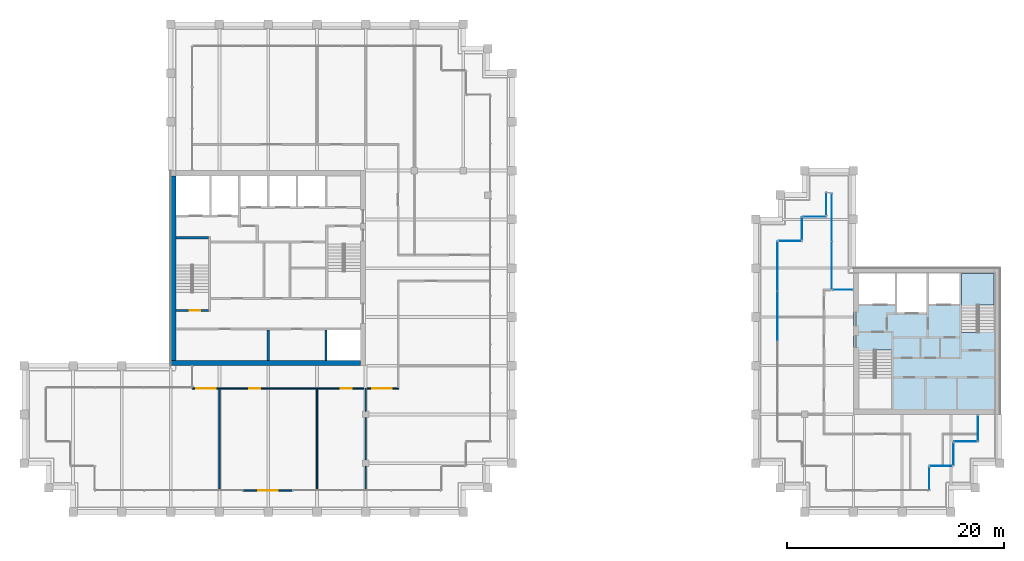
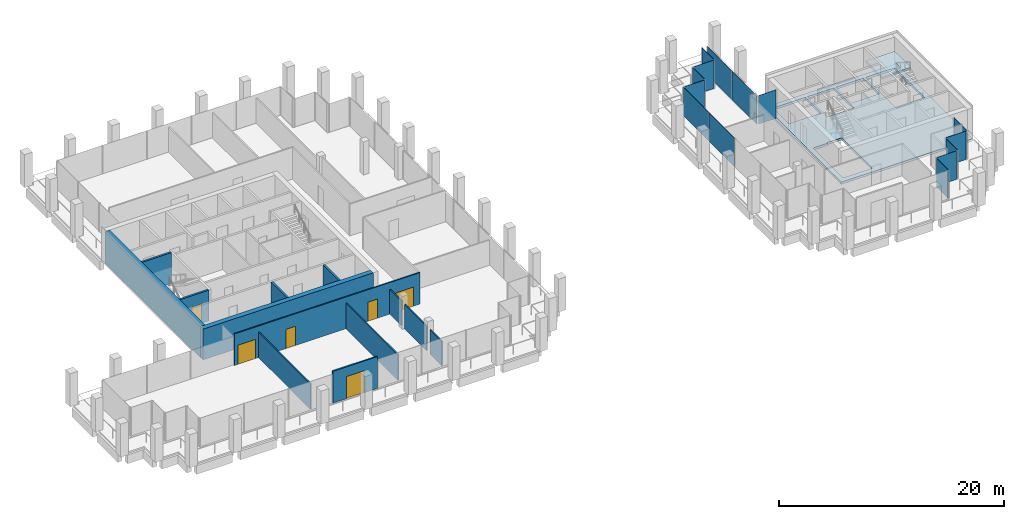
# One storey, part 35 of 40: 14 plates, 13 walls, 6 doors, 2 slabs, 6 openings, 13 elements without a shape of their own.
"""IFC4 building model written with IfcOpenShell, lengths in metres."""

from ifc_helpers import new_model, si_unit, direction, frame, frame_2d, origin, origin_2d, place, context, subcontext, project, spatial, polyline, rectangle, outline, extrude, material, layer, layer_set, type_object, element, fill, aggregate, save


model = new_model("IFC4")

# Units and contexts
model_context = context("Model", 3, precision=1e-05, world=origin(), true_north=direction((0.0, 1.0)))
body_context = subcontext(model_context, "Body", "Model", "MODEL_VIEW")
ifc_project = project(units=[si_unit("LENGTHUNIT", "METRE"), si_unit("AREAUNIT", "SQUARE_METRE"), si_unit("VOLUMEUNIT", "CUBIC_METRE"), si_unit("PLANEANGLEUNIT", "RADIAN"), si_unit("MASSUNIT", "GRAM", prefix="KILO")], contexts=[model_context])

# Site, building, storey
site_placement = place(None, origin())
site = spatial("IfcSite", under=ifc_project, at=site_placement, CompositionType="ELEMENT")
building_placement = place(site_placement, origin())
building = spatial("IfcBuilding", under=site, at=building_placement, Name="Altepetl Exchange Towers", CompositionType="ELEMENT")
storey_placement = place(building_placement, frame((0.0, 0.0, 199.199951171875)))
storey = spatial("IfcBuildingStorey", under=building, at=storey_placement, Name="L50", CompositionType="ELEMENT", Elevation=199.199951171875)

# Slab
ifc_material_1 = material(Name="Concrete C40/50", Category="concrete")
ifc_layer_1 = layer(ifc_material_1, 0.25)
ifc_layer_set_1 = layer_set([ifc_layer_1], Name="Concrete C40/50")
slab_type_1 = type_object("IfcSlabType", Name="Core floor slab 250", PredefinedType="FLOOR", material=ifc_layer_set_1)
slab_1_placement = place(storey_placement, frame((0.0, 0.0, -0.25)))
element("IfcSlab", 1, at=slab_1_placement, inside=storey, type_object=slab_type_1, Name="slab:B:L50:core0", PredefinedType="FLOOR", context=body_context, shape_type="SweptSolid", body=[
    extrude(outline(polyline([(103.5, 36.0), (117.0, 36.0), (117.0, 49.5), (103.5, 49.5), (103.5, 36.0)]), holes=[polyline([(107.0, 36.5), (104.0, 36.5), (104.0, 41.85009765625), (105.449951171875, 41.85009765625), (105.449951171875, 41.948974609375), (107.0, 41.948974609375), (107.0, 36.5)]), polyline([(113.5, 49.0), (116.5, 49.0), (116.5, 43.64990234375), (115.050048828125, 43.64990234375), (115.050048828125, 43.551025390625), (113.5, 43.551025390625), (113.5, 49.0)]), polyline([(107.532958984375, 45.39990234375), (107.532958984375, 49.0), (110.26708984375, 49.0), (110.26708984375, 45.39990234375), (107.532958984375, 45.39990234375)]), polyline([(104.0, 49.0), (107.3330078125, 49.0), (107.3330078125, 46.199951171875), (104.0, 46.199951171875), (104.0, 49.0)]), polyline([(110.467041015625, 49.0), (113.300048828125, 49.0), (113.300048828125, 46.199951171875), (110.467041015625, 46.199951171875), (110.467041015625, 49.0)])]), origin(), (0.0, 0.0, 1.0), 0.25),
])

# Curtain wall, plate
ifc_material_2 = material(Name="Aluminium 6063-T6 glazing", Category="aluminium")
curtain_wall_type = type_object("IfcCurtainWallType", Name="Loggia glazing system", PredefinedType="NOTDEFINED", material=ifc_material_2)
curtain_wall_1_placement = place(storey_placement, origin())
curtain_wall_1 = element("IfcCurtainWall", 2, at=curtain_wall_1_placement, inside=storey, type_object=curtain_wall_type, Name="CW1 run", PredefinedType="NOTDEFINED")
ifc_material_3 = material(Name="Glass 6-16-6 low emissivity", Category="glass")
ifc_layer_2 = layer(ifc_material_3, 0.028076171875)
ifc_layer_set_2 = layer_set([ifc_layer_2], Name="Glass 6-16-6 low emissivity")
plate_type = type_object("IfcPlateType", Name="Glass panel 28 double glazed", PredefinedType="CURTAIN_PANEL", material=ifc_layer_set_2)
plate_1_placement = place(storey_placement, frame((110.5, 30.08740234375, 0.0), z_axis=(0.0, 0.0, 1.0), x_axis=(0.0, 1.0, 0.0)))
plate_1 = element("IfcPlate", 3, at=plate_1_placement, type_object=plate_type, Name="GP1 panel", PredefinedType="CURTAIN_PANEL", context=body_context, shape_type="SweptSolid", body=[
    extrude(rectangle(XDim=2.054931640625, YDim=0.028076171875, at=origin_2d()), origin(), (0.0, 0.0, 1.0), 3.10009765625),
])
aggregate(curtain_wall_1, [plate_1])

curtain_wall_2_placement = place(storey_placement, origin())
curtain_wall_2 = element("IfcCurtainWall", 4, at=curtain_wall_2_placement, inside=storey, type_object=curtain_wall_type, Name="CW1 run", PredefinedType="NOTDEFINED")
plate_2_placement = place(storey_placement, frame((111.58740234375, 31.25, 0.0)))
plate_2 = element("IfcPlate", 5, at=plate_2_placement, type_object=plate_type, Name="GP1 panel", PredefinedType="CURTAIN_PANEL", context=body_context, shape_type="SweptSolid", body=[
    extrude(rectangle(XDim=2.054931640625, YDim=0.028076171875, at=origin_2d()), origin(), (0.0, 0.0, 1.0), 3.10009765625),
])
aggregate(curtain_wall_2, [plate_2])

curtain_wall_3_placement = place(storey_placement, origin())
curtain_wall_3 = element("IfcCurtainWall", 6, at=curtain_wall_3_placement, inside=storey, type_object=curtain_wall_type, Name="CW1 run", PredefinedType="NOTDEFINED")
plate_3_placement = place(storey_placement, frame((112.75, 32.33740234375, 0.0), z_axis=(0.0, 0.0, 1.0), x_axis=(0.0, 1.0, 0.0)))
plate_3 = element("IfcPlate", 7, at=plate_3_placement, type_object=plate_type, Name="GP1 panel", PredefinedType="CURTAIN_PANEL", context=body_context, shape_type="SweptSolid", body=[
    extrude(rectangle(XDim=2.054931640625, YDim=0.028076171875, at=origin_2d()), origin(), (0.0, 0.0, 1.0), 3.10009765625),
])
aggregate(curtain_wall_3, [plate_3])

curtain_wall_4_placement = place(storey_placement, origin())
curtain_wall_4 = element("IfcCurtainWall", 8, at=curtain_wall_4_placement, inside=storey, type_object=curtain_wall_type, Name="CW1 run", PredefinedType="NOTDEFINED")
plate_4_placement = place(storey_placement, frame((113.83740234375, 33.5, 0.0)))
plate_4 = element("IfcPlate", 9, at=plate_4_placement, type_object=plate_type, Name="GP1 panel", PredefinedType="CURTAIN_PANEL", context=body_context, shape_type="SweptSolid", body=[
    extrude(rectangle(XDim=2.054931640625, YDim=0.028076171875, at=origin_2d()), origin(), (0.0, 0.0, 1.0), 3.10009765625),
])
aggregate(curtain_wall_4, [plate_4])

curtain_wall_5_placement = place(storey_placement, origin())
curtain_wall_5 = element("IfcCurtainWall", 10, at=curtain_wall_5_placement, inside=storey, type_object=curtain_wall_type, Name="CW1 run", PredefinedType="NOTDEFINED")
plate_5_placement = place(storey_placement, frame((115.0, 34.71240234375, 0.0), z_axis=(0.0, 0.0, 1.0), x_axis=(0.0, 1.0, 0.0)))
plate_5 = element("IfcPlate", 11, at=plate_5_placement, type_object=plate_type, Name="GP1 panel", PredefinedType="CURTAIN_PANEL", context=body_context, shape_type="SweptSolid", body=[
    extrude(rectangle(XDim=2.304931640625, YDim=0.028076171875, at=origin_2d()), origin(), (0.0, 0.0, 1.0), 3.10009765625),
])
aggregate(curtain_wall_5, [plate_5])

curtain_wall_6_placement = place(storey_placement, origin())
curtain_wall_6 = element("IfcCurtainWall", 12, at=curtain_wall_6_placement, inside=storey, type_object=curtain_wall_type, Name="CW1 run", PredefinedType="NOTDEFINED")
plate_6_placement = place(storey_placement, frame((102.53759765625, 47.5, 0.0), z_axis=(0.0, 0.0, 1.0), x_axis=(-1.0, 0.0, 0.0)))
plate_6 = element("IfcPlate", 13, at=plate_6_placement, type_object=plate_type, Name="GP1 panel", PredefinedType="CURTAIN_PANEL", context=body_context, shape_type="SweptSolid", body=[
    extrude(rectangle(XDim=1.804931640625, YDim=0.028076171875, at=origin_2d()), origin(), (0.0, 0.0, 1.0), 3.10009765625),
])
aggregate(curtain_wall_6, [plate_6])

# Curtain wall, plates
curtain_wall_7_placement = place(storey_placement, origin())
curtain_wall_7 = element("IfcCurtainWall", 14, at=curtain_wall_7_placement, inside=storey, type_object=curtain_wall_type, Name="CW1 run", PredefinedType="NOTDEFINED")
plate_7_placement = place(storey_placement, frame((101.5, 49.746337890625, 0.0), z_axis=(0.0, 0.0, 1.0), x_axis=(0.0, 1.0, 0.0)))
plate_7 = element("IfcPlate", 15, at=plate_7_placement, type_object=plate_type, Name="GP1 panel", PredefinedType="CURTAIN_PANEL", context=body_context, shape_type="SweptSolid", body=[
    extrude(rectangle(XDim=4.37255859375, YDim=0.028076171875, at=origin_2d()), origin(), (0.0, 0.0, 1.0), 3.10009765625),
])
plate_8_placement = place(storey_placement, frame((101.5, 54.1787109375, 0.0), z_axis=(0.0, 0.0, 1.0), x_axis=(0.0, 1.0, 0.0)))
plate_8 = element("IfcPlate", 16, at=plate_8_placement, type_object=plate_type, Name="GP1 panel", PredefinedType="CURTAIN_PANEL", context=body_context, shape_type="SweptSolid", body=[
    extrude(rectangle(XDim=4.37255859375, YDim=0.028076171875, at=origin_2d()), origin(), (0.0, 0.0, 1.0), 3.10009765625),
])
aggregate(curtain_wall_7, [plate_7, plate_8])

# Curtain wall, plate
curtain_wall_8_placement = place(storey_placement, origin())
curtain_wall_8 = element("IfcCurtainWall", 17, at=curtain_wall_8_placement, inside=storey, type_object=curtain_wall_type, Name="CW1 run", PredefinedType="NOTDEFINED")
plate_9_placement = place(storey_placement, frame((101.0, 55.41259765625, 0.0), z_axis=(0.0, 0.0, 1.0), x_axis=(0.0, -1.0, 0.0)))
plate_9 = element("IfcPlate", 18, at=plate_9_placement, type_object=plate_type, Name="GP1 panel", PredefinedType="CURTAIN_PANEL", context=body_context, shape_type="SweptSolid", body=[
    extrude(rectangle(XDim=2.054931640625, YDim=0.028076171875, at=origin_2d()), origin(), (0.0, 0.0, 1.0), 3.10009765625),
])
aggregate(curtain_wall_8, [plate_9])

curtain_wall_9_placement = place(storey_placement, origin())
curtain_wall_9 = element("IfcCurtainWall", 19, at=curtain_wall_9_placement, inside=storey, type_object=curtain_wall_type, Name="CW1 run", PredefinedType="NOTDEFINED")
plate_10_placement = place(storey_placement, frame((99.91259765625, 54.25, 0.0), z_axis=(0.0, 0.0, 1.0), x_axis=(-1.0, 0.0, 0.0)))
plate_10 = element("IfcPlate", 20, at=plate_10_placement, type_object=plate_type, Name="GP1 panel", PredefinedType="CURTAIN_PANEL", context=body_context, shape_type="SweptSolid", body=[
    extrude(rectangle(XDim=2.054931640625, YDim=0.028076171875, at=origin_2d()), origin(), (0.0, 0.0, 1.0), 3.10009765625),
])
aggregate(curtain_wall_9, [plate_10])

curtain_wall_10_placement = place(storey_placement, origin())
curtain_wall_10 = element("IfcCurtainWall", 21, at=curtain_wall_10_placement, inside=storey, type_object=curtain_wall_type, Name="CW1 run", PredefinedType="NOTDEFINED")
plate_11_placement = place(storey_placement, frame((98.75, 53.16259765625, 0.0), z_axis=(0.0, 0.0, 1.0), x_axis=(0.0, -1.0, 0.0)))
plate_11 = element("IfcPlate", 22, at=plate_11_placement, type_object=plate_type, Name="GP1 panel", PredefinedType="CURTAIN_PANEL", context=body_context, shape_type="SweptSolid", body=[
    extrude(rectangle(XDim=2.054931640625, YDim=0.028076171875, at=origin_2d()), origin(), (0.0, 0.0, 1.0), 3.10009765625),
])
aggregate(curtain_wall_10, [plate_11])

curtain_wall_11_placement = place(storey_placement, origin())
curtain_wall_11 = element("IfcCurtainWall", 23, at=curtain_wall_11_placement, inside=storey, type_object=curtain_wall_type, Name="CW1 run", PredefinedType="NOTDEFINED")
plate_12_placement = place(storey_placement, frame((97.66259765625, 52.0, 0.0), z_axis=(0.0, 0.0, 1.0), x_axis=(-1.0, 0.0, 0.0)))
plate_12 = element("IfcPlate", 24, at=plate_12_placement, type_object=plate_type, Name="GP1 panel", PredefinedType="CURTAIN_PANEL", context=body_context, shape_type="SweptSolid", body=[
    extrude(rectangle(XDim=2.054931640625, YDim=0.028076171875, at=origin_2d()), origin(), (0.0, 0.0, 1.0), 3.10009765625),
])
aggregate(curtain_wall_11, [plate_12])

# Curtain wall, plates
curtain_wall_12_placement = place(storey_placement, origin())
curtain_wall_12 = element("IfcCurtainWall", 25, at=curtain_wall_12_placement, inside=storey, type_object=curtain_wall_type, Name="CW1 run", PredefinedType="NOTDEFINED")
plate_13_placement = place(storey_placement, frame((96.5, 49.681884765625, 0.0), z_axis=(0.0, 0.0, 1.0), x_axis=(0.0, -1.0, 0.0)))
plate_13 = element("IfcPlate", 26, at=plate_13_placement, type_object=plate_type, Name="GP1 panel", PredefinedType="CURTAIN_PANEL", context=body_context, shape_type="SweptSolid", body=[
    extrude(rectangle(XDim=4.516357421875, YDim=0.028076171875, at=origin_2d()), origin(), (0.0, 0.0, 1.0), 3.10009765625),
])
plate_14_placement = place(storey_placement, frame((96.5, 45.090576171875, 0.0), z_axis=(0.0, 0.0, 1.0), x_axis=(0.0, -1.0, 0.0)))
plate_14 = element("IfcPlate", 27, at=plate_14_placement, type_object=plate_type, Name="GP1 panel", PredefinedType="CURTAIN_PANEL", context=body_context, shape_type="SweptSolid", body=[
    extrude(rectangle(XDim=4.546142578125, YDim=0.028076171875, at=origin_2d()), origin(), (0.0, 0.0, 1.0), 3.10009765625),
])
aggregate(curtain_wall_12, [plate_13, plate_14])

# Stair, slab
stair_type = type_object("IfcStairType", Name="Exit stair 1450 flights dogleg", PredefinedType="HALF_TURN_STAIR", material=ifc_material_1)
stair_placement = place(storey_placement, origin())
stair = element("IfcStair", 28, at=stair_placement, inside=storey, type_object=stair_type, Name="Exit stair 2", PredefinedType="HALF_TURN_STAIR")
ifc_layer_3 = layer(ifc_material_1, 0.199951171875)
ifc_layer_set_3 = layer_set([ifc_layer_3], Name="Concrete C40/50")
slab_type_2 = type_object("IfcSlabType", Name="Stair landing 200 reinforced concrete", PredefinedType="LANDING", material=ifc_layer_set_3)
slab_2_placement = place(storey_placement, frame((0.0, 0.0, 1.60009765625)))
slab_2 = element("IfcSlab", 29, at=slab_2_placement, type_object=slab_type_2, Name="ST-B2f landing 1", PredefinedType="LANDING", context=body_context, shape_type="SweptSolid", body=[
    extrude(outline(polyline([(114.949951171875, 46.014892578125), (113.5, 46.014892578125), (113.5, 46.114990234375), (113.5, 49.0), (116.5, 49.0), (116.5, 46.114990234375), (116.5, 46.1142578125), (115.050048828125, 46.1142578125), (115.050048828125, 46.114990234375), (114.949951171875, 46.114990234375), (114.949951171875, 46.014892578125)])), origin(), (0.0, 0.0, 1.0), 0.199951171875),
])
aggregate(stair, [slab_2])

# Walls
ifc_material_4 = material(Name="Concrete C70/85", Category="concrete")
ifc_layer_4 = layer(ifc_material_4, 0.5)
ifc_layer_set_4 = layer_set([ifc_layer_4], Name="Concrete C70/85")
wall_type_1 = type_object("IfcWallType", Name="Core wall 500 reinforced concrete", PredefinedType="SHEAR", material=ifc_layer_set_4)
wall_1_placement = place(storey_placement, frame((40.5, 40.75, 0.0)))
element("IfcWall", 30, at=wall_1_placement, inside=storey, type_object=wall_type_1, Name="wall:A:L50:K-coreS", PredefinedType="SHEAR", context=body_context, shape_type="SweptSolid", body=[
    extrude(rectangle(XDim=17.5, YDim=0.5, at=frame_2d((8.75, 0.0))), origin(), (0.0, 0.0, 1.0), 3.35009765625),
])
ifc_layer_5 = layer(ifc_material_4, 0.5)
ifc_layer_set_5 = layer_set([ifc_layer_5], Name="Concrete C70/85")
wall_type_2 = type_object("IfcWallType", Name="Core wall 500 reinforced concrete external", PredefinedType="SHEAR", material=ifc_layer_set_5)
wall_2_placement = place(storey_placement, frame((40.75, 41.0, 0.0), z_axis=(0.0, 0.0, 1.0), x_axis=(0.0, 1.0, 0.0)))
element("IfcWall", 31, at=wall_2_placement, inside=storey, type_object=wall_type_2, Name="wall:A:L50:K-coreW", PredefinedType="SHEAR", context=body_context, shape_type="SweptSolid", body=[
    extrude(rectangle(XDim=17.0, YDim=0.5, at=frame_2d((8.5, 0.0))), origin(), (0.0, 0.0, 1.0), 3.35009765625),
])

# Wall, opening, door
ifc_material_5 = material(Name="Aluminium composite cladding", Category="aluminium")
ifc_layer_6 = layer(ifc_material_5, 0.14990234375)
ifc_layer_set_6 = layer_set([ifc_layer_6], Name="Aluminium composite cladding")
wall_type_3 = type_object("IfcWallType", Name="Infill wall 150 aluminium panel", PredefinedType="SOLIDWALL", material=ifc_layer_set_6)
wall_3_placement = place(storey_placement, frame((47.18212890625, 29.0, 0.0)))
wall_3 = element("IfcWall", 32, at=wall_3_placement, inside=storey, type_object=wall_type_3, Name="Loggia door bay wall", PredefinedType="SOLIDWALL", context=body_context, shape_type="SweptSolid", body=[
    extrude(rectangle(XDim=4.560791015625, YDim=0.14990234375, at=frame_2d((2.2802734375, 0.0))), origin(), (0.0, 0.0, 1.0), 3.449951171875),
])
opening_1_placement = place(wall_3_placement, frame((1.38037109375, 0.0, 0.0)))
opening_1 = element("IfcOpeningElement", 33, at=opening_1_placement, cuts=wall_3, Name="Opening L50.A90", PredefinedType="OPENING", context=body_context, shape_type="SweptSolid", body=[
    extrude(rectangle(XDim=1.800048828125, YDim=2.39990234375, at=frame_2d((0.89990234375, 1.199951171875))), frame((0.0, 0.0849609375, 0.0), z_axis=(0.0, -1.0, 0.0), x_axis=(1.0, 0.0, 0.0)), (0.0, 0.0, 1.0), 0.169921875),
])
ifc_material_6 = material(Name="Aluminium 6063-T6 and glass", Category="aluminium")
door_type_1 = type_object("IfcDoorType", Name="Glazed door pair 1800x2400", OperationType="DOUBLE_DOOR_DOUBLE_SWING", PredefinedType="NOTDEFINED", material=ifc_material_6)
door_1_placement = place(opening_1_placement, frame((1.800048828125, 0.0, 0.0), x_axis=(-1.0, 0.0, 0.0)))
door_1 = element("IfcDoor", 34, at=door_1_placement, inside=storey, type_object=door_type_1, Name="Loggia door", OperationType="DOUBLE_DOOR_DOUBLE_SWING", OverallHeight=2.39990234375, OverallWidth=1.800048828125, PredefinedType="NOTDEFINED", context=body_context, shape_type="SweptSolid", body=[
    extrude(rectangle(XDim=1.800048828125, YDim=2.39990234375, at=frame_2d((0.89990234375, 1.199951171875))), frame((0.0, 0.02490234375, 0.0), z_axis=(0.0, -1.0, 0.0), x_axis=(1.0, 0.0, 0.0)), (0.0, 0.0, 1.0), 0.050048828125),
])
fill(opening_1, door_1)

# Wall, openings, doors
ifc_material_7 = material(Name="Gypsum board on steel studs", Category="steel")
ifc_layer_7 = layer(ifc_material_7, 0.125)
ifc_layer_set_7 = layer_set([ifc_layer_7], Name="Gypsum board on steel studs")
wall_type_4 = type_object("IfcWallType", Name="Partition 125 gypsum board on steel studs", PredefinedType="PARTITIONING", material=ifc_layer_set_7)
wall_4_placement = place(storey_placement, frame((42.5, 38.39990234375, 0.0)))
wall_4 = element("IfcWall", 35, at=wall_4_placement, inside=storey, type_object=wall_type_4, Name="wall:A:L50:P01", PredefinedType="PARTITIONING", context=body_context, shape_type="SweptSolid", body=[
    extrude(rectangle(XDim=19.0625, YDim=0.125, at=frame_2d((9.53125, 0.0))), origin(), (0.0, 0.0, 1.0), 3.449951171875),
])
opening_2_placement = place(wall_4_placement, frame((0.35009765625, 0.0, 0.0)))
opening_2 = element("IfcOpeningElement", 36, at=opening_2_placement, cuts=wall_4, Name="Opening L50.A01", PredefinedType="OPENING", context=body_context, shape_type="SweptSolid", body=[
    extrude(rectangle(XDim=1.800048828125, YDim=2.10009765625, at=frame_2d((0.89990234375, 1.050048828125))), frame((0.0, 0.072509765625, 0.0), z_axis=(0.0, -1.0, 0.0), x_axis=(1.0, 0.0, 0.0)), (0.0, 0.0, 1.0), 0.14501953125),
])
opening_3_placement = place(wall_4_placement, frame((5.258056640625, 0.0, 0.0)))
opening_3 = element("IfcOpeningElement", 37, at=opening_3_placement, cuts=wall_4, Name="Opening L50.A02", PredefinedType="OPENING", context=body_context, shape_type="SweptSolid", body=[
    extrude(rectangle(XDim=1.0, YDim=2.10009765625, at=frame_2d((0.5, 1.050048828125))), frame((0.0, 0.072509765625, 0.0), z_axis=(0.0, -1.0, 0.0), x_axis=(1.0, 0.0, 0.0)), (0.0, 0.0, 1.0), 0.14501953125),
])
opening_4_placement = place(wall_4_placement, frame((13.705078125, 0.0, 0.0)))
opening_4 = element("IfcOpeningElement", 38, at=opening_4_placement, cuts=wall_4, Name="Opening L50.A03", PredefinedType="OPENING", context=body_context, shape_type="SweptSolid", body=[
    extrude(rectangle(XDim=1.0, YDim=2.10009765625, at=frame_2d((0.5, 1.050048828125))), frame((0.0, 0.072509765625, 0.0), z_axis=(0.0, -1.0, 0.0), x_axis=(1.0, 0.0, 0.0)), (0.0, 0.0, 1.0), 0.14501953125),
])
opening_5_placement = place(wall_4_placement, frame((16.60009765625, 0.0, 0.0)))
opening_5 = element("IfcOpeningElement", 39, at=opening_5_placement, cuts=wall_4, Name="Opening L50.A04", PredefinedType="OPENING", context=body_context, shape_type="SweptSolid", body=[
    extrude(rectangle(XDim=1.800048828125, YDim=2.10009765625, at=frame_2d((0.89990234375, 1.050048828125))), frame((0.0, 0.072509765625, 0.0), z_axis=(0.0, -1.0, 0.0), x_axis=(1.0, 0.0, 0.0)), (0.0, 0.0, 1.0), 0.14501953125),
])
ifc_material_8 = material(Name="Steel and timber fire door", Category="steel")
door_type_2 = type_object("IfcDoorType", Name="Fire door 1000 x 2100 single leaf", OperationType="SINGLE_SWING_LEFT", PredefinedType="DOOR", material=ifc_material_8)
door_2_placement = place(opening_3_placement, frame((1.0, 0.0, 0.0), x_axis=(-1.0, 0.0, 0.0)))
door_2 = element("IfcDoor", 40, at=door_2_placement, inside=storey, type_object=door_type_2, Name="door:A:L50:02", OperationType="SINGLE_SWING_RIGHT", OverallHeight=2.10009765625, OverallWidth=1.0, PredefinedType="DOOR", context=body_context, shape_type="SweptSolid", body=[
    extrude(rectangle(XDim=1.0, YDim=2.10009765625, at=frame_2d((0.5, 1.050048828125))), frame((0.0, 0.02490234375, 0.0), z_axis=(0.0, -1.0, 0.0), x_axis=(1.0, 0.0, 0.0)), (0.0, 0.0, 1.0), 0.050048828125),
])
fill(opening_3, door_2)
door_3_placement = place(opening_4_placement, frame((1.0, 0.0, 0.0), x_axis=(-1.0, 0.0, 0.0)))
door_3 = element("IfcDoor", 41, at=door_3_placement, inside=storey, type_object=door_type_2, Name="door:A:L50:03", OperationType="SINGLE_SWING_LEFT", OverallHeight=2.10009765625, OverallWidth=1.0, PredefinedType="DOOR", context=body_context, shape_type="SweptSolid", body=[
    extrude(rectangle(XDim=1.0, YDim=2.10009765625, at=frame_2d((0.5, 1.050048828125))), frame((0.0, 0.02490234375, 0.0), z_axis=(0.0, -1.0, 0.0), x_axis=(1.0, 0.0, 0.0)), (0.0, 0.0, 1.0), 0.050048828125),
])
fill(opening_4, door_3)
door_type_3 = type_object("IfcDoorType", Name="Fire door 1800 x 2100 double leaf", OperationType="DOUBLE_DOOR_SINGLE_SWING", PredefinedType="DOOR", material=ifc_material_8)
door_4_placement = place(opening_2_placement, frame((1.800048828125, 0.0, 0.0), x_axis=(-1.0, 0.0, 0.0)))
door_4 = element("IfcDoor", 42, at=door_4_placement, inside=storey, type_object=door_type_3, Name="door:A:L50:01", OperationType="DOUBLE_DOOR_SINGLE_SWING", OverallHeight=2.10009765625, OverallWidth=1.800048828125, PredefinedType="DOOR", context=body_context, shape_type="SweptSolid", body=[
    extrude(rectangle(XDim=1.800048828125, YDim=2.10009765625, at=frame_2d((0.89990234375, 1.050048828125))), frame((0.0, 0.02490234375, 0.0), z_axis=(0.0, -1.0, 0.0), x_axis=(1.0, 0.0, 0.0)), (0.0, 0.0, 1.0), 0.050048828125),
])
fill(opening_2, door_4)
door_5_placement = place(opening_5_placement, frame((1.800048828125, 0.0, 0.0), x_axis=(-1.0, 0.0, 0.0)))
door_5 = element("IfcDoor", 43, at=door_5_placement, inside=storey, type_object=door_type_3, Name="door:A:L50:04", OperationType="DOUBLE_DOOR_SINGLE_SWING", OverallHeight=2.10009765625, OverallWidth=1.800048828125, PredefinedType="DOOR", context=body_context, shape_type="SweptSolid", body=[
    extrude(rectangle(XDim=1.800048828125, YDim=2.10009765625, at=frame_2d((0.89990234375, 1.050048828125))), frame((0.0, 0.02490234375, 0.0), z_axis=(0.0, -1.0, 0.0), x_axis=(1.0, 0.0, 0.0)), (0.0, 0.0, 1.0), 0.050048828125),
])
fill(opening_5, door_5)

# Walls
for number, where, z_axis, x_axis, name in (
    (44, (45.0, 29.10009765625, 0.0), (0.0, 0.0, 1.0), (0.0, 1.0, 0.0), "wall:A:L50:P06"),
    (45, (54.0, 29.10009765625, 0.0), (0.0, 0.0, 1.0), (0.0, 1.0, 0.0), "wall:A:L50:P07"),
):
    element("IfcWall", number, at=place(storey_placement, frame(where, z_axis=z_axis, x_axis=x_axis)), inside=storey, type_object=wall_type_4, Name=name, PredefinedType="PARTITIONING", context=body_context, shape_type="SweptSolid", body=[
        extrude(rectangle(XDim=9.2998046875, YDim=0.125, at=frame_2d((4.64990234375, 0.0))), origin(), (0.0, 0.0, 1.0), 2.77197265625),
    ])
wall_5_placement = place(storey_placement, frame((58.5, 29.10009765625, 0.0), z_axis=(0.0, 0.0, 1.0), x_axis=(0.0, 1.0, 0.0)))
element("IfcWall", 46, at=wall_5_placement, inside=storey, type_object=wall_type_4, Name="wall:A:L50:P09", PredefinedType="PARTITIONING", context=body_context, shape_type="SweptSolid", body=[
    extrude(rectangle(XDim=2.099853515625, YDim=0.125, at=frame_2d((1.0498046875, 0.0))), origin(), (0.0, 0.0, 1.0), 2.676025390625),
])
wall_6_placement = place(storey_placement, frame((58.5, 31.800048828125, 0.0), z_axis=(0.0, 0.0, 1.0), x_axis=(0.0, 1.0, 0.0)))
element("IfcWall", 47, at=wall_6_placement, inside=storey, type_object=wall_type_4, Name="wall:A:L50:P10", PredefinedType="PARTITIONING", context=body_context, shape_type="SweptSolid", body=[
    extrude(rectangle(XDim=3.89990234375, YDim=0.125, at=frame_2d((1.949951171875, 0.0))), origin(), (0.0, 0.0, 1.0), 2.676025390625),
])
wall_7_placement = place(storey_placement, frame((58.5, 36.300048828125, 0.0), z_axis=(0.0, 0.0, 1.0), x_axis=(0.0, 1.0, 0.0)))
element("IfcWall", 48, at=wall_7_placement, inside=storey, type_object=wall_type_4, Name="wall:A:L50:P11", PredefinedType="PARTITIONING", context=body_context, shape_type="SweptSolid", body=[
    extrude(rectangle(XDim=2.099853515625, YDim=0.125, at=frame_2d((1.0498046875, 0.0))), origin(), (0.0, 0.0, 1.0), 2.676025390625),
])
ifc_layer_8 = layer(ifc_material_1, 0.199951171875)
ifc_layer_set_8 = layer_set([ifc_layer_8], Name="Concrete C40/50")
wall_type_5 = type_object("IfcWallType", Name="Shaft wall 200 reinforced concrete", PredefinedType="SHEAR", material=ifc_layer_set_8)
wall_8_placement = place(storey_placement, frame((54.833251953125, 41.0, 0.0), z_axis=(0.0, 0.0, 1.0), x_axis=(0.0, 1.0, 0.0)))
element("IfcWall", 49, at=wall_8_placement, inside=storey, type_object=wall_type_5, Name="wall:A:L50:K-divS5", PredefinedType="SHEAR", context=body_context, shape_type="SweptSolid", body=[
    extrude(rectangle(XDim=2.800048828125, YDim=0.199951171875, at=frame_2d((1.39990234375, 0.0))), origin(), (0.0, 0.0, 1.0), 3.35009765625),
])
ifc_layer_9 = layer(ifc_material_4, 0.199951171875)
ifc_layer_set_9 = layer_set([ifc_layer_9], Name="Concrete C70/85")
wall_type_6 = type_object("IfcWallType", Name="Shear wall 200 reinforced concrete", PredefinedType="SHEAR", material=ifc_layer_set_9)
wall_9_placement = place(storey_placement, frame((49.5, 41.0, 0.0), z_axis=(0.0, 0.0, 1.0), x_axis=(0.0, 1.0, 0.0)))
element("IfcWall", 50, at=wall_9_placement, inside=storey, type_object=wall_type_6, Name="wall:A:L50:K-divS3", PredefinedType="SHEAR", context=body_context, shape_type="SweptSolid", body=[
    extrude(rectangle(XDim=2.800048828125, YDim=0.199951171875, at=frame_2d((1.39990234375, 0.0))), origin(), (0.0, 0.0, 1.0), 3.35009765625),
])
ifc_layer_10 = layer(ifc_material_1, 0.199951171875)
ifc_layer_set_10 = layer_set([ifc_layer_10], Name="Concrete C40/50")
wall_type_7 = type_object("IfcWallType", Name="Stair wall 200 reinforced concrete", PredefinedType="SHEAR", material=ifc_layer_set_10)
wall_10_placement = place(storey_placement, frame((41.0, 52.300048828125, 0.0)))
element("IfcWall", 51, at=wall_10_placement, inside=storey, type_object=wall_type_7, Name="wall:A:L50:K-stS1N", PredefinedType="SHEAR", context=body_context, shape_type="SweptSolid", body=[
    extrude(rectangle(XDim=3.0, YDim=0.199951171875, at=frame_2d((1.5, 0.0))), origin(), (0.0, 0.0, 1.0), 3.35009765625),
])

# Wall, opening, door
wall_11_placement = place(storey_placement, frame((41.0, 45.60009765625, 0.0)))
wall_11 = element("IfcWall", 52, at=wall_11_placement, inside=storey, type_object=wall_type_7, Name="wall:A:L50:K-stS1S", PredefinedType="SHEAR", context=body_context, shape_type="SweptSolid", body=[
    extrude(rectangle(XDim=3.0, YDim=0.199951171875, at=frame_2d((1.5, 0.0))), origin(), (0.0, 0.0, 1.0), 3.35009765625),
])
opening_6_placement = place(wall_11_placement, frame((1.25, 0.0, 0.0)))
opening_6 = element("IfcOpeningElement", 53, at=opening_6_placement, cuts=wall_11, Name="Opening L50.A62", PredefinedType="OPENING", context=body_context, shape_type="SweptSolid", body=[
    extrude(rectangle(XDim=1.0, YDim=2.10009765625, at=frame_2d((0.5, 1.050048828125))), frame((0.0, 0.10986328125, 0.0), z_axis=(0.0, -1.0, 0.0), x_axis=(1.0, 0.0, 0.0)), (0.0, 0.0, 1.0), 0.219970703125),
])
door_type_4 = type_object("IfcDoorType", Name="Fire door 1000 x 2100 stair and lobby", OperationType="SINGLE_SWING_LEFT", PredefinedType="DOOR", material=ifc_material_8)
door_6_placement = place(opening_6_placement, origin())
door_6 = element("IfcDoor", 54, at=door_6_placement, inside=storey, type_object=door_type_4, Name="door:A:L50:K-dS1in", OperationType="SINGLE_SWING_RIGHT", OverallHeight=2.10009765625, OverallWidth=1.0, PredefinedType="DOOR", context=body_context, shape_type="SweptSolid", body=[
    extrude(rectangle(XDim=1.0, YDim=2.10009765625, at=frame_2d((0.5, 1.050048828125))), frame((0.0, 0.02490234375, 0.0), z_axis=(0.0, -1.0, 0.0), x_axis=(1.0, 0.0, 0.0)), (0.0, 0.0, 1.0), 0.050048828125),
])
fill(opening_6, door_6)

save(model, "model.ifc")
